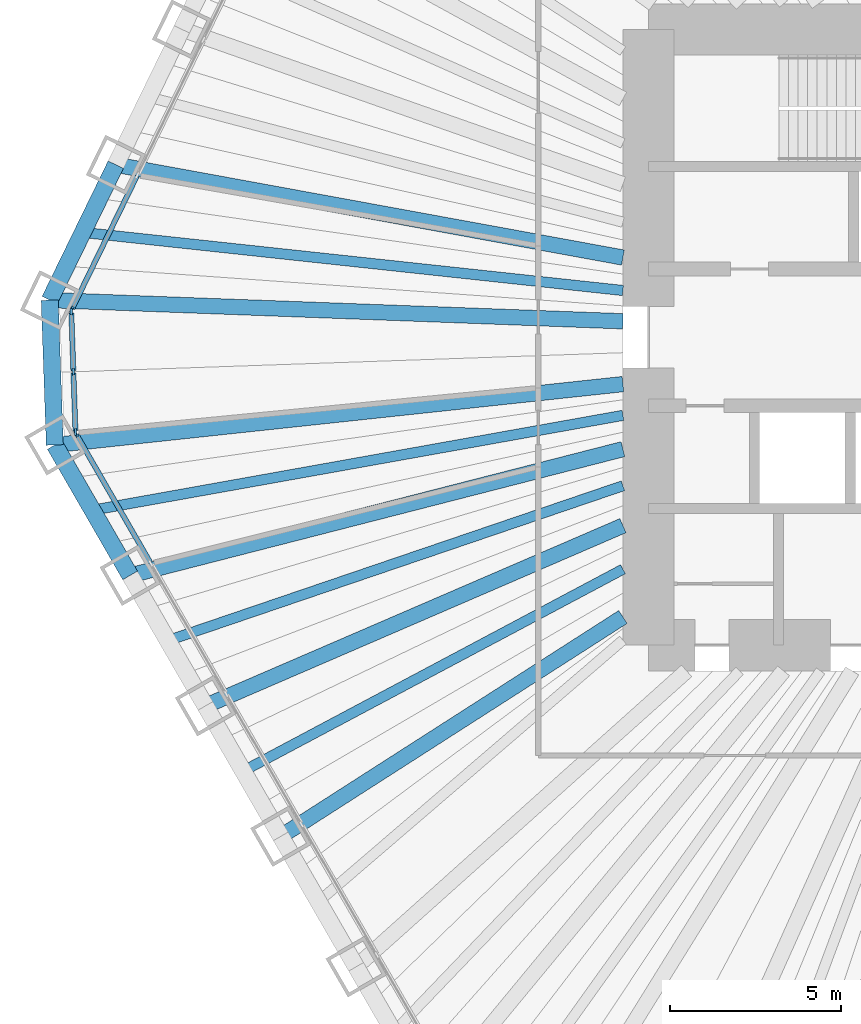
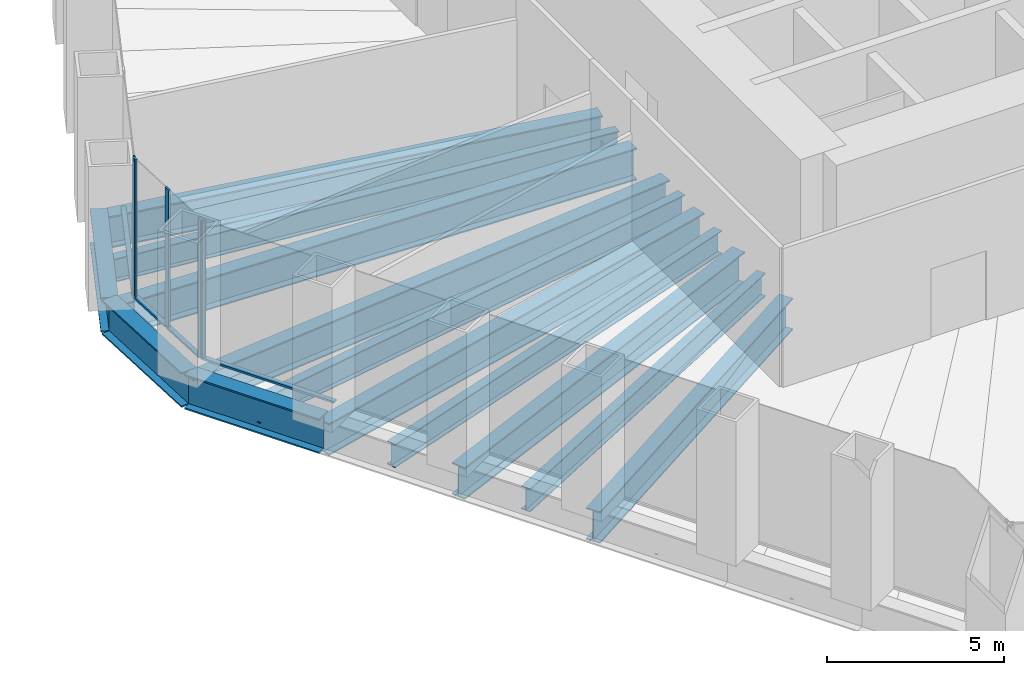
# One storey, part 3 of 13: 13 beams, 9 members, 3 elements without a shape of their own.
"""IFC4 building model written with IfcOpenShell, lengths in metres."""

from ifc_helpers import new_model, si_unit, direction, frame, origin, origin_2d, place, context, subcontext, project, spatial, rectangle, i_section, extrude, material, material_profile, profile_set, type_object, element, aggregate, save


model = new_model("IFC4")

# Units and contexts
model_context = context("Model", 3, precision=1e-05, world=origin(), true_north=direction((0.0, 1.0)))
body_context = subcontext(model_context, "Body", "Model", "MODEL_VIEW")
ifc_project = project(units=[si_unit("LENGTHUNIT", "METRE"), si_unit("AREAUNIT", "SQUARE_METRE"), si_unit("VOLUMEUNIT", "CUBIC_METRE"), si_unit("PLANEANGLEUNIT", "RADIAN"), si_unit("MASSUNIT", "GRAM", prefix="KILO")], contexts=[model_context])

# Site, building, storey
site_placement = place(None, origin())
site = spatial("IfcSite", under=ifc_project, at=site_placement, CompositionType="ELEMENT")
building_placement = place(site_placement, origin())
building = spatial("IfcBuilding", under=site, at=building_placement, Name="Qingtian Harvest Tower", CompositionType="ELEMENT")
storey_placement = place(building_placement, frame((0.0, 0.0, 27.0)))
storey = spatial("IfcBuildingStorey", under=building, at=storey_placement, Name="L05", CompositionType="ELEMENT", Elevation=27.0)

# Beams
ifc_material_1 = material(Name="Steel SM570MC", Category="steel")
ifc_material_profile_1 = material_profile(ifc_material_1, i_section(OverallWidth=0.449951171875, OverallDepth=1.10009765625, WebThickness=0.02197265625, FlangeThickness=0.044921875, at=origin_2d()), Name="H1100x450x22x45")
ifc_profile_set_1 = profile_set([ifc_material_profile_1], Name="Steel SM570MC")
beam_type_1 = type_object("IfcBeamType", Name="Corner floor beam FB8 H1100x450x22x45", PredefinedType="BEAM", material=ifc_profile_set_1)
beam_1_placement = place(storey_placement, frame((-29.36083984375, -3.145751953125, -0.75), z_axis=(0.994308822197, 0.106536219669, 0.0), x_axis=(-0.106536219669, 0.994308822197, 0.0)))
element("IfcBeam", 1, at=beam_1_placement, inside=storey, type_object=beam_type_1, Name="Floor beam FB8 SW6", PredefinedType="BEAM", context=body_context, shape_type="SweptSolid", body=[
    extrude(i_section(OverallWidth=0.449951171875, OverallDepth=1.10009765625, WebThickness=0.02197265625, FlangeThickness=0.044921875, at=origin_2d()), origin(), (0.0, 0.0, 1.0), 16.705810546875),
])
beam_2_placement = place(storey_placement, frame((-29.5087890625, 1.08984375, -0.75), z_axis=(0.999318796571, -0.036904509488, 0.0), x_axis=(0.036904509488, 0.999318796571, 0.0)))
element("IfcBeam", 2, at=beam_2_placement, inside=storey, type_object=beam_type_1, Name="Floor beam FB8 NW0", PredefinedType="BEAM", context=body_context, shape_type="SweptSolid", body=[
    extrude(i_section(OverallWidth=0.449951171875, OverallDepth=1.10009765625, WebThickness=0.02197265625, FlangeThickness=0.044921875, at=origin_2d()), origin(), (0.0, 0.0, 1.0), 16.770263671875),
])
ifc_material_2 = material(Name="Steel SM570MC", Category="steel")
ifc_material_profile_2 = material_profile(ifc_material_2, i_section(OverallWidth=0.449951171875, OverallDepth=1.10009765625, WebThickness=0.02197265625, FlangeThickness=0.044921875, at=origin_2d()), Name="H1100x450x22x45")
ifc_profile_set_2 = profile_set([ifc_material_profile_2], Name="Steel SM570MC")
beam_type_2 = type_object("IfcBeamType", Name="Floor beam FB1 H1100x450x22x45", PredefinedType="BEAM", material=ifc_profile_set_2)
beam_3_placement = place(storey_placement, frame((-22.75390625, -14.589111328125, -0.75), z_axis=(0.841829353865, 0.539743771591, 0.0), x_axis=(-0.539743771591, 0.841829353865, 0.0)))
element("IfcBeam", 3, at=beam_3_placement, inside=storey, type_object=beam_type_2, Name="Floor beam FB1 SW3", PredefinedType="BEAM", context=body_context, shape_type="SweptSolid", body=[
    extrude(i_section(OverallWidth=0.449951171875, OverallDepth=1.10009765625, WebThickness=0.02197265625, FlangeThickness=0.044921875, at=origin_2d()), origin(), (0.0, 0.0, 1.0), 11.883544921875),
])
beam_4_placement = place(storey_placement, frame((-24.9560546875, -10.774658203125, -0.75), z_axis=(0.918083617325, 0.396386770213, 0.0), x_axis=(-0.396386770213, 0.918083617325, 0.0)))
element("IfcBeam", 4, at=beam_4_placement, inside=storey, type_object=beam_type_2, Name="Floor beam FB1 SW4", PredefinedType="BEAM", context=body_context, shape_type="SweptSolid", body=[
    extrude(i_section(OverallWidth=0.449951171875, OverallDepth=1.10009765625, WebThickness=0.02197265625, FlangeThickness=0.044921875, at=origin_2d()), origin(), (0.0, 0.0, 1.0), 13.295166015625),
])
beam_5_placement = place(storey_placement, frame((-27.158447265625, -6.960205078125, -0.75), z_axis=(0.968693729942, 0.248258851947, 0.0), x_axis=(-0.248258851947, 0.968693729942, 0.0)))
element("IfcBeam", 5, at=beam_5_placement, inside=storey, type_object=beam_type_2, Name="Floor beam FB1 SW5", PredefinedType="BEAM", context=body_context, shape_type="SweptSolid", body=[
    extrude(i_section(OverallWidth=0.449951171875, OverallDepth=1.10009765625, WebThickness=0.02197265625, FlangeThickness=0.044921875, at=origin_2d()), origin(), (0.0, 0.0, 1.0), 14.8740234375),
])
beam_6_placement = place(storey_placement, frame((-27.577880859375, 5.048828125, -0.75), z_axis=(0.98365177106, -0.180081074215, 0.0), x_axis=(0.180081074215, 0.98365177106, 0.0)))
element("IfcBeam", 6, at=beam_6_placement, inside=storey, type_object=beam_type_2, Name="Floor beam FB1 NW1", PredefinedType="BEAM", context=body_context, shape_type="SweptSolid", body=[
    extrude(i_section(OverallWidth=0.449951171875, OverallDepth=1.10009765625, WebThickness=0.02197265625, FlangeThickness=0.044921875, at=origin_2d()), origin(), (0.0, 0.0, 1.0), 15.07421875),
])
ifc_material_3 = material(Name="Steel SN490B", Category="steel")
ifc_material_profile_3 = material_profile(ifc_material_3, i_section(OverallWidth=0.300048828125, OverallDepth=0.800048828125, WebThickness=0.013916015625, FlangeThickness=0.02587890625, at=origin_2d()), Name="H800x300x14x26")
ifc_profile_set_3 = profile_set([ifc_material_profile_3], Name="Steel SN490B")
beam_type_3 = type_object("IfcBeamType", Name="Floor joist J1 H800x300x14x26", PredefinedType="JOIST", material=ifc_profile_set_3)
beam_7_placement = place(storey_placement, frame((-23.85498046875, -12.681884765625, -0.60009765625), z_axis=(0.882982474604, 0.469405953885, 0.0), x_axis=(-0.469405953885, 0.882982474604, 0.0)))
element("IfcBeam", 7, at=beam_7_placement, inside=storey, type_object=beam_type_3, Name="Floor joist J1 SW3", PredefinedType="JOIST", context=body_context, shape_type="SweptSolid", body=[
    extrude(i_section(OverallWidth=0.300048828125, OverallDepth=0.800048828125, WebThickness=0.013916015625, FlangeThickness=0.02587890625, at=origin_2d()), origin(), (0.0, 0.0, 1.0), 12.57666015625),
])
beam_8_placement = place(storey_placement, frame((-26.057373046875, -8.867431640625, -0.60009765625), z_axis=(0.946684735425, 0.322161468387, 0.0), x_axis=(-0.322161468387, 0.946684735425, 0.0)))
element("IfcBeam", 8, at=beam_8_placement, inside=storey, type_object=beam_type_3, Name="Floor joist J1 SW4", PredefinedType="JOIST", context=body_context, shape_type="SweptSolid", body=[
    extrude(i_section(OverallWidth=0.300048828125, OverallDepth=0.800048828125, WebThickness=0.013916015625, FlangeThickness=0.02587890625, at=origin_2d()), origin(), (0.0, 0.0, 1.0), 14.056884765625),
])
beam_9_placement = place(storey_placement, frame((-28.259521484375, -5.052978515625, -0.60009765625), z_axis=(0.984387614034, 0.176014275943, 0.0), x_axis=(-0.176014275943, 0.984387614034, 0.0)))
element("IfcBeam", 9, at=beam_9_placement, inside=storey, type_object=beam_type_3, Name="Floor joist J1 SW5", PredefinedType="JOIST", context=body_context, shape_type="SweptSolid", body=[
    extrude(i_section(OverallWidth=0.300048828125, OverallDepth=0.800048828125, WebThickness=0.013916015625, FlangeThickness=0.02587890625, at=origin_2d()), origin(), (0.0, 0.0, 1.0), 15.755615234375),
])
beam_10_placement = place(storey_placement, frame((-28.543212890625, 3.0693359375, -0.60009765625), z_axis=(0.994268320665, -0.106913546948, 0.0), x_axis=(0.106913546948, 0.994268320665, 0.0)))
element("IfcBeam", 10, at=beam_10_placement, inside=storey, type_object=beam_type_3, Name="Floor joist J1 NW0", PredefinedType="JOIST", context=body_context, shape_type="SweptSolid", body=[
    extrude(i_section(OverallWidth=0.300048828125, OverallDepth=0.800048828125, WebThickness=0.013916015625, FlangeThickness=0.02587890625, at=origin_2d()), origin(), (0.0, 0.0, 1.0), 15.88427734375),
])

# Curtain wall, member
ifc_material_4 = material(Name="Bronze-anodised aluminium curtain wall", Category="aluminium")
curtain_wall_type = type_object("IfcCurtainWallType", Name="Curtain wall CW2 farm reception", PredefinedType="USERDEFINED", material=ifc_material_4)
curtain_wall_1_placement = place(storey_placement, origin())
curtain_wall_1 = element("IfcCurtainWall", 11, at=curtain_wall_1_placement, inside=storey, type_object=curtain_wall_type, Name="Curtain wall CW2 L05 SW0-5", ObjectType="RECESSED CURTAIN WALL", PredefinedType="USERDEFINED")
ifc_material_5 = material(Name="Bronze-anodised aluminium mullion", Category="aluminium")
ifc_material_profile_4 = material_profile(ifc_material_5, rectangle(XDim=0.06494140625, YDim=0.199951171875, at=origin_2d()), Name="AL 65x200")
ifc_profile_set_4 = profile_set([ifc_material_profile_4], Name="Bronze-anodised aluminium mullion")
member_type_1 = type_object("IfcMemberType", Name="Mullion CWM 65x200", PredefinedType="MULLION", material=ifc_profile_set_4)
member_1_placement = place(storey_placement, frame((-28.73828125, -2.82373046875, 0.0), z_axis=(0.0, 0.0, 1.0), x_axis=(-0.866025403784, -0.5, 0.0)))
member_1 = element("IfcMember", 12, at=member_1_placement, type_object=member_type_1, Name="CW2 mullion 7", PredefinedType="MULLION", context=body_context, shape_type="SweptSolid", body=[
    extrude(rectangle(XDim=0.06494140625, YDim=0.199951171875, at=origin_2d()), origin(), (0.0, 0.0, 1.0), 4.800048828125),
])

# Curtain wall, members
curtain_wall_2_placement = place(storey_placement, origin())
curtain_wall_2 = element("IfcCurtainWall", 13, at=curtain_wall_2_placement, inside=storey, type_object=curtain_wall_type, Name="Curtain wall CW2 L05 SWC", ObjectType="RECESSED CURTAIN WALL", PredefinedType="USERDEFINED")
member_2_placement = place(storey_placement, frame((-28.755615234375, -2.76318359375, 0.0), z_axis=(0.0, 0.0, 1.0), x_axis=(-0.999390827019, -0.034899496703, 0.0)))
member_2 = element("IfcMember", 14, at=member_2_placement, type_object=member_type_1, Name="CW2 mullion 1", PredefinedType="MULLION", context=body_context, shape_type="SweptSolid", body=[
    extrude(rectangle(XDim=0.06494140625, YDim=0.199951171875, at=origin_2d()), origin(), (0.0, 0.0, 1.0), 4.800048828125),
])
member_3_placement = place(storey_placement, frame((-28.817138671875, -1.00634765625, 0.0), z_axis=(0.0, 0.0, 1.0), x_axis=(-0.999390827019, -0.034899496703, 0.0)))
member_3 = element("IfcMember", 15, at=member_3_placement, type_object=member_type_1, Name="CW2 mullion 2", PredefinedType="MULLION", context=body_context, shape_type="SweptSolid", body=[
    extrude(rectangle(XDim=0.06494140625, YDim=0.199951171875, at=origin_2d()), origin(), (0.0, 0.0, 1.0), 4.800048828125),
])
member_4_placement = place(storey_placement, frame((-28.87841796875, 0.75048828125, 0.0), z_axis=(0.0, 0.0, 1.0), x_axis=(-0.999390827019, -0.034899496703, 0.0)))
member_4 = element("IfcMember", 16, at=member_4_placement, type_object=member_type_1, Name="CW2 mullion 3", PredefinedType="MULLION", context=body_context, shape_type="SweptSolid", body=[
    extrude(rectangle(XDim=0.06494140625, YDim=0.199951171875, at=origin_2d()), origin(), (0.0, 0.0, 1.0), 4.800048828125),
])

# Curtain wall, member
curtain_wall_3_placement = place(storey_placement, origin())
curtain_wall_3 = element("IfcCurtainWall", 17, at=curtain_wall_3_placement, inside=storey, type_object=curtain_wall_type, Name="Curtain wall CW2 L05 NW0-5", ObjectType="RECESSED CURTAIN WALL", PredefinedType="USERDEFINED")
member_5_placement = place(storey_placement, frame((-28.865234375, 0.812255859375, 0.0), z_axis=(0.0, 0.0, 1.0), x_axis=(-0.898794046299, 0.438371146789, 0.0)))
member_5 = element("IfcMember", 18, at=member_5_placement, type_object=member_type_1, Name="CW2 mullion 1", PredefinedType="MULLION", context=body_context, shape_type="SweptSolid", body=[
    extrude(rectangle(XDim=0.06494140625, YDim=0.199951171875, at=origin_2d()), origin(), (0.0, 0.0, 1.0), 4.800048828125),
])

# Beams
ifc_material_6 = material(Name="Steel SM570MC", Category="steel")
ifc_material_profile_5 = material_profile(ifc_material_6, i_section(OverallWidth=0.5, OverallDepth=1.199951171875, WebThickness=0.02490234375, FlangeThickness=0.050048828125, at=origin_2d()), Name="H1200x500x25x50")
ifc_profile_set_5 = profile_set([ifc_material_profile_5], Name="Steel SM570MC")
beam_type_4 = type_object("IfcBeamType", Name="Spandrel beam SB1 H1200x500x25x50", PredefinedType="SPANDREL", material=ifc_profile_set_5)
beam_11_placement = place(storey_placement, frame((-27.158447265625, -6.960205078125, -0.60009765625), z_axis=(-0.50001992892, 0.866013897511, 0.0), x_axis=(-0.866013897511, -0.50001992892, 0.0)))
element("IfcBeam", 19, at=beam_11_placement, inside=storey, type_object=beam_type_4, Name="Spandrel SB1 SW5", PredefinedType="SPANDREL", context=body_context, shape_type="SweptSolid", body=[
    extrude(i_section(OverallWidth=0.5, OverallDepth=1.199951171875, WebThickness=0.02490234375, FlangeThickness=0.050048828125, at=origin_2d()), origin(), (0.0, 0.0, 1.0), 4.404541015625),
])
beam_12_placement = place(storey_placement, frame((-29.36083984375, -3.145751953125, -0.60009765625), z_axis=(-0.034908677553, 0.999390506375, 0.0), x_axis=(-0.999390506375, -0.034908677553, 0.0)))
element("IfcBeam", 20, at=beam_12_placement, inside=storey, type_object=beam_type_4, Name="Spandrel SB1 SWC", PredefinedType="SPANDREL", context=body_context, shape_type="SweptSolid", body=[
    extrude(i_section(OverallWidth=0.5, OverallDepth=1.199951171875, WebThickness=0.02490234375, FlangeThickness=0.050048828125, at=origin_2d()), origin(), (0.0, 0.0, 1.0), 4.23828125),
])
beam_13_placement = place(storey_placement, frame((-29.5087890625, 1.08984375, -0.60009765625), z_axis=(0.438367938366, 0.898795611145, 0.0), x_axis=(-0.898795611145, 0.438367938366, 0.0)))
element("IfcBeam", 21, at=beam_13_placement, inside=storey, type_object=beam_type_4, Name="Spandrel SB1 NW0", PredefinedType="SPANDREL", context=body_context, shape_type="SweptSolid", body=[
    extrude(i_section(OverallWidth=0.5, OverallDepth=1.199951171875, WebThickness=0.02490234375, FlangeThickness=0.050048828125, at=origin_2d()), origin(), (0.0, 0.0, 1.0), 4.40478515625),
])

# Member
ifc_material_7 = material(Name="Bronze-anodised aluminium transom", Category="aluminium")
ifc_material_profile_6 = material_profile(ifc_material_7, rectangle(XDim=0.14990234375, YDim=0.06494140625, at=origin_2d()), Name="AL 65x150")
ifc_profile_set_6 = profile_set([ifc_material_profile_6], Name="Bronze-anodised aluminium transom")
member_type_2 = type_object("IfcMemberType", Name="Transom CWT 65x150", PredefinedType="USERDEFINED", material=ifc_profile_set_6)
member_6_placement = place(storey_placement, frame((-26.568603515625, -6.58203125, 0.032470703125), z_axis=(-0.499967798808, 0.866043994353, 0.0), x_axis=(-0.866043994353, -0.499967798808, 0.0)))
member_6 = element("IfcMember", 22, at=member_6_placement, type_object=member_type_2, Name="CW2 transom 6.1", ObjectType="TRANSOM", PredefinedType="USERDEFINED", context=body_context, shape_type="SweptSolid", body=[
    extrude(rectangle(XDim=0.14990234375, YDim=0.06494140625, at=origin_2d()), origin(), (0.0, 0.0, 1.0), 4.306884765625),
])

aggregate(curtain_wall_1, [member_1, member_6])

member_7_placement = place(storey_placement, frame((-28.7568359375, -2.730712890625, 0.032470703125), z_axis=(-0.034899362377, 0.99939083171, 0.0), x_axis=(-0.99939083171, -0.034899362377, 0.0)))
member_7 = element("IfcMember", 23, at=member_7_placement, type_object=member_type_2, Name="CW2 transom 1.1", ObjectType="TRANSOM", PredefinedType="USERDEFINED", context=body_context, shape_type="SweptSolid", body=[
    extrude(rectangle(XDim=0.14990234375, YDim=0.06494140625, at=origin_2d()), origin(), (0.0, 0.0, 1.0), 1.69287109375),
])

member_8_placement = place(storey_placement, frame((-28.818115234375, -0.973876953125, 0.032470703125), z_axis=(-0.034899362377, 0.99939083171, 0.0), x_axis=(-0.99939083171, -0.034899362377, 0.0)))
member_8 = element("IfcMember", 24, at=member_8_placement, type_object=member_type_2, Name="CW2 transom 2.1", ObjectType="TRANSOM", PredefinedType="USERDEFINED", context=body_context, shape_type="SweptSolid", body=[
    extrude(rectangle(XDim=0.14990234375, YDim=0.06494140625, at=origin_2d()), origin(), (0.0, 0.0, 1.0), 1.69287109375),
])

aggregate(curtain_wall_2, [member_2, member_3, member_4, member_7, member_8])

member_9_placement = place(storey_placement, frame((-28.85107421875, 0.841552734375, 0.032470703125), z_axis=(0.438394595167, 0.898782609383, 0.0), x_axis=(-0.898782609383, 0.438394595167, 0.0)))
member_9 = element("IfcMember", 25, at=member_9_placement, type_object=member_type_2, Name="CW2 transom 1.1", ObjectType="TRANSOM", PredefinedType="USERDEFINED", context=body_context, shape_type="SweptSolid", body=[
    extrude(rectangle(XDim=0.14990234375, YDim=0.06494140625, at=origin_2d()), origin(), (0.0, 0.0, 1.0), 4.30712890625),
])

aggregate(curtain_wall_3, [member_5, member_9])

save(model, "model.ifc")
